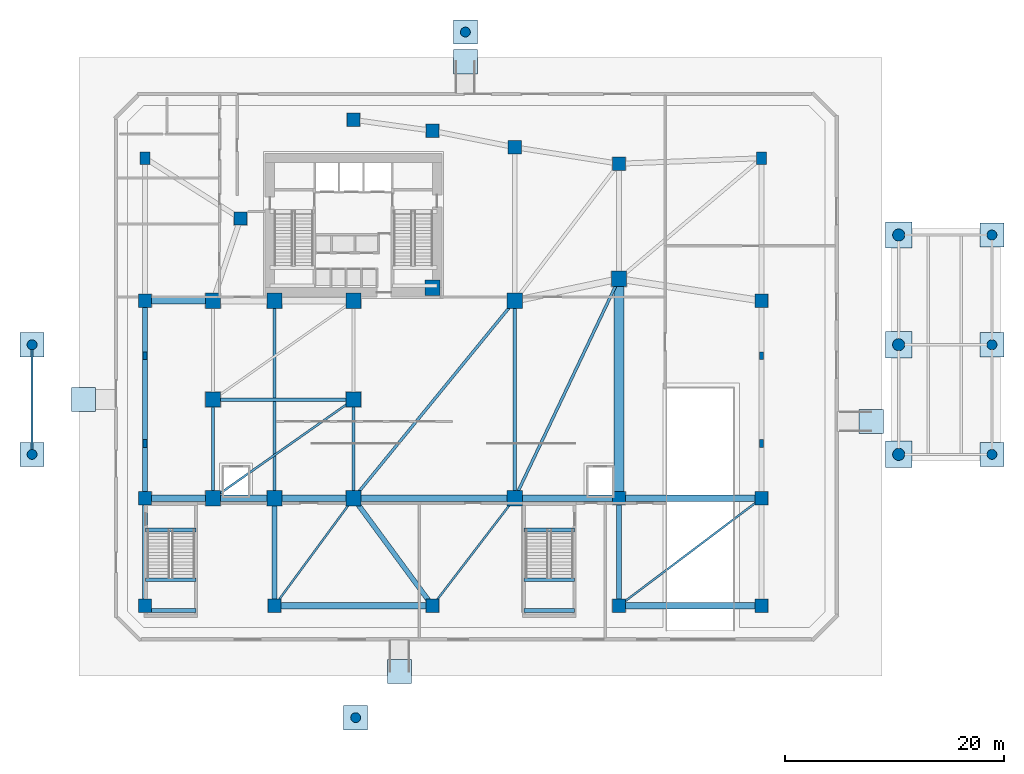
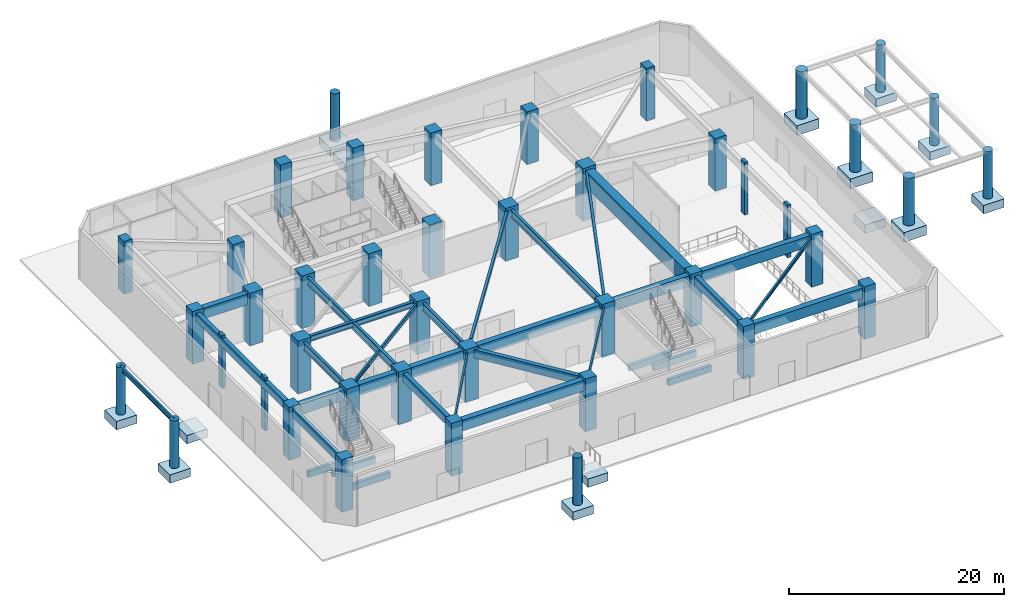
# One storey, part 1 of 13: 43 columns, 33 beams, 14 footings.
"""IFC4 building model written with IfcOpenShell, lengths in metres."""

from ifc_helpers import new_model, si_unit, direction, frame, origin, origin_2d, place, context, subcontext, project, spatial, rectangle, circle, i_section, extrude, source, transform, mapped, material, material_profile, profile_set, type_object, element, save


model = new_model("IFC4")

# Units and contexts
model_context = context("Model", 3, precision=1e-05, world=origin(), true_north=direction((0.0, 1.0)))
body_context = subcontext(model_context, "Body", "Model", "MODEL_VIEW")
ifc_project = project(units=[si_unit("LENGTHUNIT", "METRE"), si_unit("AREAUNIT", "SQUARE_METRE"), si_unit("VOLUMEUNIT", "CUBIC_METRE"), si_unit("PLANEANGLEUNIT", "RADIAN"), si_unit("MASSUNIT", "GRAM", prefix="KILO")], contexts=[model_context])

# Site, building, storey
site_placement = place(None, origin())
site = spatial("IfcSite", under=ifc_project, at=site_placement, CompositionType="ELEMENT")
building_placement = place(site_placement, origin())
building = spatial("IfcBuilding", under=site, at=building_placement, Name="Calvemar Wedge Station Tower", CompositionType="ELEMENT")
storey_placement = place(building_placement, origin())
storey = spatial("IfcBuildingStorey", under=building, at=storey_placement, Name="L01", CompositionType="ELEMENT", Elevation=0.0)

# Footings
ifc_material_1 = material(Name="Concrete C45", Category="concrete")
footing_type_1 = type_object("IfcFootingType", Name="FT-PAD-1", PredefinedType="PAD_FOOTING", material=ifc_material_1)
shared_shape_1 = source(origin(), body_context, "Body", "SweptSolid", [
    extrude(rectangle(XDim=2.39990234375, YDim=2.39990234375, at=origin_2d()), origin(), (0.0, 0.0, 1.0), 1.10009765625),
])
for number, where, z_axis, x_axis, name in (
    (1, (73.5, 19.0, -1.10009765625), (0.0, 0.0, 1.0), (1.0, 0.0, 0.0), "Grade Pad Footing PAD-P1"),
    (2, (73.5, 29.0, -1.10009765625), (0.0, 0.0, 1.0), (1.0, 0.0, 0.0), "Grade Pad Footing PAD-P2"),
    (3, (73.5, 39.0, -1.10009765625), (0.0, 0.0, 1.0), (1.0, 0.0, 0.0), "Grade Pad Footing PAD-P3"),
):
    element("IfcFooting", number, at=place(storey_placement, frame(where, z_axis=z_axis, x_axis=x_axis)), inside=storey, type_object=footing_type_1, Name=name, PredefinedType="PAD_FOOTING", context=body_context, shape_type="MappedRepresentation", body=[
        mapped(shared_shape_1, transform((0.0, 0.0, 0.0), scale=1.0)),
    ])
footing_type_2 = type_object("IfcFootingType", Name="FT-PAD-2", PredefinedType="PAD_FOOTING", material=ifc_material_1)
shared_shape_2 = source(origin(), body_context, "Body", "SweptSolid", [
    extrude(rectangle(XDim=2.199951171875, YDim=2.199951171875, at=origin_2d()), origin(), (0.0, 0.0, 1.0), 0.949951171875),
])
for number, where, z_axis, x_axis, name in (
    (4, (82.0, 19.0, -0.9501953125), (0.0, 0.0, 1.0), (1.0, 0.0, 0.0), "Grade Pad Footing PAD-P4"),
    (5, (82.0, 29.0, -0.9501953125), (0.0, 0.0, 1.0), (1.0, 0.0, 0.0), "Grade Pad Footing PAD-P5"),
    (6, (82.0, 39.0, -0.9501953125), (0.0, 0.0, 1.0), (1.0, 0.0, 0.0), "Grade Pad Footing PAD-P6"),
    (7, (-5.5, 19.0, -0.9501953125), (0.0, 0.0, 1.0), (1.0, 0.0, 0.0), "Grade Pad Footing PAD-W1"),
    (8, (-5.5, 29.0, -0.9501953125), (0.0, 0.0, 1.0), (1.0, 0.0, 0.0), "Grade Pad Footing PAD-W2"),
    (9, (24.0, -5.0, -0.9501953125), (0.0, 0.0, 1.0), (1.0, 0.0, 0.0), "Grade Pad Footing PAD-S1"),
    (10, (34.0, 57.5, -0.9501953125), (0.0, 0.0, 1.0), (1.0, 0.0, 0.0), "Grade Pad Footing PAD-N1"),
    (11, (71.0, 22.0, -1.14990234375), (0.0, 0.0, 1.0), (1.0, 0.0, 0.0), "Grade Pad Footing PAD-AR1"),
    (12, (28.0, -0.800048828125, -1.14990234375), (0.0, 0.0, 1.0), (1.0, 0.0, 0.0), "Grade Pad Footing PAD-AR2"),
    (13, (34.0, 54.800048828125, -1.14990234375), (0.0, 0.0, 1.0), (1.0, 0.0, 0.0), "Grade Pad Footing PAD-AR3"),
    (14, (-0.800048828125, 24.0, -1.14990234375), (0.0, 0.0, 1.0), (1.0, 0.0, 0.0), "Grade Pad Footing PAD-AR4"),
):
    element("IfcFooting", number, at=place(storey_placement, frame(where, z_axis=z_axis, x_axis=x_axis)), inside=storey, type_object=footing_type_2, Name=name, PredefinedType="PAD_FOOTING", context=body_context, shape_type="MappedRepresentation", body=[
        mapped(shared_shape_2, transform((0.0, 0.0, 0.0), scale=1.0)),
    ])

# Columns
ifc_material_2 = material(Name="Concrete C70", Category="concrete")
ifc_material_profile_1 = material_profile(ifc_material_2, rectangle(XDim=1.199951171875, YDim=1.199951171875, at=origin_2d()), Name="RC1200x1200")
ifc_profile_set_1 = profile_set([ifc_material_profile_1], Name="Concrete C70")
column_type_1 = type_object("IfcColumnType", Name="COL-C2-1200", PredefinedType="COLUMN", material=ifc_profile_set_1)
shared_shape_3 = source(origin(), body_context, "Body", "SweptSolid", [
    extrude(rectangle(XDim=1.199951171875, YDim=1.199951171875, at=origin_2d()), origin(), (0.0, 0.0, 1.0), 6.0),
])
for number, where, z_axis, x_axis, name in (
    (15, (4.800048828125, 5.199951171875, 0.0), (0.0, 0.0, 1.0), (1.0, 0.0, 0.0), "Storey L01 Column P-S1"),
    (16, (16.60009765625, 5.199951171875, 0.0), (0.0, 0.0, 1.0), (1.0, 0.0, 0.0), "Storey L01 Column P-S2"),
    (17, (31.0, 5.199951171875, 0.0), (0.0, 0.0, 1.0), (1.0, 0.0, 0.0), "Storey L01 Column P-S3"),
    (18, (48.0, 5.199951171875, 0.0), (0.0, 0.0, 1.0), (1.0, 0.0, 0.0), "Storey L01 Column P-S4"),
    (19, (61.0, 5.199951171875, 0.0), (0.0, 0.0, 1.0), (1.0, 0.0, 0.0), "Storey L01 Column P-S5"),
    (20, (4.800048828125, 15.0, 0.0), (0.0, 0.0, 1.0), (1.0, 0.0, 0.0), "Storey L01 Column P-CS0"),
    (21, (48.0, 15.0, 0.0), (0.0, 0.0, 1.0), (1.0, 0.0, 0.0), "Storey L01 Column P-CS5"),
    (22, (61.0, 15.0, 0.0), (0.0, 0.0, 1.0), (1.0, 0.0, 0.0), "Storey L01 Column P-CS6"),
    (23, (4.800048828125, 33.0, 0.0), (0.0, 0.0, 1.0), (1.0, 0.0, 0.0), "Storey L01 Column P-CN0"),
    (24, (61.0, 33.0, 0.0), (0.0, 0.0, 1.0), (1.0, 0.0, 0.0), "Storey L01 Column P-CN7"),
    (25, (13.5, 40.5, 0.0), (0.0, 0.0, 1.0), (1.0, 0.0, 0.0), "Storey L01 Column P-N1"),
    (26, (23.800048828125, 49.5, 0.0), (0.0, 0.0, 1.0), (1.0, 0.0, 0.0), "Storey L01 Column P-N2"),
    (27, (31.0, 48.5, 0.0), (0.0, 0.0, 1.0), (1.0, 0.0, 0.0), "Storey L01 Column P-N3"),
    (28, (38.5, 47.0, 0.0), (0.0, 0.0, 1.0), (1.0, 0.0, 0.0), "Storey L01 Column P-N4"),
    (29, (48.0, 45.5, 0.0), (0.0, 0.0, 1.0), (1.0, 0.0, 0.0), "Storey L01 Column P-N5"),
):
    element("IfcColumn", number, at=place(storey_placement, frame(where, z_axis=z_axis, x_axis=x_axis)), inside=storey, type_object=column_type_1, Name=name, PredefinedType="COLUMN", context=body_context, shape_type="MappedRepresentation", body=[
        mapped(shared_shape_3, transform((0.0, 0.0, 0.0), scale=1.0)),
    ])
ifc_material_3 = material(Name="Concrete C80", Category="concrete")
ifc_material_profile_2 = material_profile(ifc_material_3, rectangle(XDim=1.39990234375, YDim=1.39990234375, at=origin_2d()), Name="RC1400x1400")
ifc_profile_set_2 = profile_set([ifc_material_profile_2], Name="Concrete C80")
column_type_2 = type_object("IfcColumnType", Name="COL-C1-1400", PredefinedType="COLUMN", material=ifc_profile_set_2)
shared_shape_4 = source(origin(), body_context, "Body", "SweptSolid", [
    extrude(rectangle(XDim=1.39990234375, YDim=1.39990234375, at=origin_2d()), origin(), (0.0, 0.0, 1.0), 6.0),
])
for number, where, z_axis, x_axis, name in (
    (30, (11.0, 15.0, 0.0), (0.0, 0.0, 1.0), (1.0, 0.0, 0.0), "Storey L01 Column P-CS1"),
    (31, (16.60009765625, 15.0, 0.0), (0.0, 0.0, 1.0), (1.0, 0.0, 0.0), "Storey L01 Column P-CS2"),
    (32, (23.800048828125, 15.0, 0.0), (0.0, 0.0, 1.0), (1.0, 0.0, 0.0), "Storey L01 Column P-CS3"),
    (33, (38.5, 15.0, 0.0), (0.0, 0.0, 1.0), (1.0, 0.0, 0.0), "Storey L01 Column P-CS4"),
    (34, (11.0, 24.0, 0.0), (0.0, 0.0, 1.0), (1.0, 0.0, 0.0), "Storey L01 Column P-CM1"),
    (35, (23.800048828125, 24.0, 0.0), (0.0, 0.0, 1.0), (1.0, 0.0, 0.0), "Storey L01 Column P-CM2"),
    (36, (11.0, 33.0, 0.0), (0.0, 0.0, 1.0), (1.0, 0.0, 0.0), "Storey L01 Column P-CN1"),
    (37, (16.60009765625, 33.0, 0.0), (0.0, 0.0, 1.0), (1.0, 0.0, 0.0), "Storey L01 Column P-CN2"),
    (38, (23.800048828125, 33.0, 0.0), (0.0, 0.0, 1.0), (1.0, 0.0, 0.0), "Storey L01 Column P-CN3"),
    (39, (31.0, 34.199951171875, 0.0), (0.0, 0.0, 1.0), (1.0, 0.0, 0.0), "Storey L01 Column P-CN4"),
    (40, (38.5, 33.0, 0.0), (0.0, 0.0, 1.0), (1.0, 0.0, 0.0), "Storey L01 Column P-CN5"),
    (41, (48.0, 35.0, 0.0), (0.0, 0.0, 1.0), (1.0, 0.0, 0.0), "Storey L01 Column P-CN6"),
):
    element("IfcColumn", number, at=place(storey_placement, frame(where, z_axis=z_axis, x_axis=x_axis)), inside=storey, type_object=column_type_2, Name=name, PredefinedType="COLUMN", context=body_context, shape_type="MappedRepresentation", body=[
        mapped(shared_shape_4, transform((0.0, 0.0, 0.0), scale=1.0)),
    ])
ifc_material_profile_3 = material_profile(ifc_material_2, rectangle(XDim=0.89990234375, YDim=1.10009765625, at=origin_2d()), Name="RC1100x900")
ifc_profile_set_3 = profile_set([ifc_material_profile_3], Name="Concrete C70")
column_type_3 = type_object("IfcColumnType", Name="COL-C3-1100x900", PredefinedType="COLUMN", material=ifc_profile_set_3)
shared_shape_5 = source(origin(), body_context, "Body", "SweptSolid", [
    extrude(rectangle(XDim=0.89990234375, YDim=1.10009765625, at=origin_2d()), origin(), (0.0, 0.0, 1.0), 6.0),
])
for number, where, z_axis, x_axis, name in (
    (42, (4.800048828125, 46.0, 0.0), (0.0, 0.0, 1.0), (1.0, 0.0, 0.0), "Storey L01 Column P-N0"),
    (43, (61.0, 46.0, 0.0), (0.0, 0.0, 1.0), (1.0, 0.0, 0.0), "Storey L01 Column P-N6"),
):
    element("IfcColumn", number, at=place(storey_placement, frame(where, z_axis=z_axis, x_axis=x_axis)), inside=storey, type_object=column_type_3, Name=name, PredefinedType="COLUMN", context=body_context, shape_type="MappedRepresentation", body=[
        mapped(shared_shape_5, transform((0.0, 0.0, 0.0), scale=1.0)),
    ])
ifc_material_profile_4 = material_profile(ifc_material_2, circle(Radius=0.550048828125, at=origin_2d()), Name="RC-D1100")
ifc_profile_set_4 = profile_set([ifc_material_profile_4], Name="Concrete C70")
column_type_4 = type_object("IfcColumnType", Name="COL-C9-D1100", PredefinedType="COLUMN", material=ifc_profile_set_4)
shared_shape_6 = source(origin(), body_context, "Body", "SweptSolid", [
    extrude(circle(Radius=0.550048828125, at=origin_2d()), origin(), (0.0, 0.0, 1.0), 5.39990234375),
])
for number, where, z_axis, x_axis, name in (
    (44, (73.5, 19.0, 0.0), (0.0, 0.0, 1.0), (1.0, 0.0, 0.0), "Storey L01 Column P-CAN1"),
    (45, (73.5, 29.0, 0.0), (0.0, 0.0, 1.0), (1.0, 0.0, 0.0), "Storey L01 Column P-CAN2"),
    (46, (73.5, 39.0, 0.0), (0.0, 0.0, 1.0), (1.0, 0.0, 0.0), "Storey L01 Column P-CAN3"),
):
    element("IfcColumn", number, at=place(storey_placement, frame(where, z_axis=z_axis, x_axis=x_axis)), inside=storey, type_object=column_type_4, Name=name, PredefinedType="COLUMN", context=body_context, shape_type="MappedRepresentation", body=[
        mapped(shared_shape_6, transform((0.0, 0.0, 0.0), scale=1.0)),
    ])
ifc_material_4 = material(Name="Concrete C60", Category="concrete")
ifc_material_profile_5 = material_profile(ifc_material_4, circle(Radius=0.449951171875, at=origin_2d()), Name="RC-D900")
ifc_profile_set_5 = profile_set([ifc_material_profile_5], Name="Concrete C60")
column_type_5 = type_object("IfcColumnType", Name="COL-C10-D900", PredefinedType="COLUMN", material=ifc_profile_set_5)
shared_shape_7 = source(origin(), body_context, "Body", "SweptSolid", [
    extrude(circle(Radius=0.449951171875, at=origin_2d()), origin(), (0.0, 0.0, 1.0), 5.39990234375),
])
for number, where, z_axis, x_axis, name in (
    (47, (82.0, 19.0, 0.0), (0.0, 0.0, 1.0), (1.0, 0.0, 0.0), "Storey L01 Column P-CAN4"),
    (48, (82.0, 29.0, 0.0), (0.0, 0.0, 1.0), (1.0, 0.0, 0.0), "Storey L01 Column P-CAN5"),
    (49, (82.0, 39.0, 0.0), (0.0, 0.0, 1.0), (1.0, 0.0, 0.0), "Storey L01 Column P-CAN6"),
    (50, (-5.5, 19.0, 0.0), (0.0, 0.0, 1.0), (1.0, 0.0, 0.0), "Storey L01 Column P-WCAN1"),
    (51, (-5.5, 29.0, 0.0), (0.0, 0.0, 1.0), (1.0, 0.0, 0.0), "Storey L01 Column P-WCAN2"),
    (52, (24.0, -5.0, 0.0), (0.0, 0.0, 1.0), (1.0, 0.0, 0.0), "Storey L01 Column P-SCAN1"),
    (53, (34.0, 57.5, 0.0), (0.0, 0.0, 1.0), (1.0, 0.0, 0.0), "Storey L01 Column P-NCAN1"),
):
    element("IfcColumn", number, at=place(storey_placement, frame(where, z_axis=z_axis, x_axis=x_axis)), inside=storey, type_object=column_type_5, Name=name, PredefinedType="COLUMN", context=body_context, shape_type="MappedRepresentation", body=[
        mapped(shared_shape_7, transform((0.0, 0.0, 0.0), scale=1.0)),
    ])
ifc_material_profile_6 = material_profile(ifc_material_4, rectangle(XDim=0.35009765625, YDim=0.699951171875, at=origin_2d()), Name="RC350x700")
ifc_profile_set_6 = profile_set([ifc_material_profile_6], Name="Concrete C60")
column_type_6 = type_object("IfcColumnType", Name="PIL-P1-700", PredefinedType="PILASTER", material=ifc_profile_set_6)
shared_shape_8 = source(origin(), body_context, "Body", "SweptSolid", [
    extrude(rectangle(XDim=0.35009765625, YDim=0.699951171875, at=origin_2d()), origin(), (0.0, 0.0, 1.0), 6.0),
])
for number, where, z_axis, x_axis, name in (
    (54, (4.800048828125, 20.0, 0.0), (0.0, 0.0, 1.0), (1.0, 0.0, 0.0), "Storey L01 Concourse Pilaster 1"),
    (55, (4.800048828125, 28.0, 0.0), (0.0, 0.0, 1.0), (1.0, 0.0, 0.0), "Storey L01 Concourse Pilaster 2"),
    (56, (61.0, 20.0, 0.0), (0.0, 0.0, 1.0), (1.0, 0.0, 0.0), "Storey L01 Concourse Pilaster 3"),
    (57, (61.0, 28.0, 0.0), (0.0, 0.0, 1.0), (1.0, 0.0, 0.0), "Storey L01 Concourse Pilaster 4"),
):
    element("IfcColumn", number, at=place(storey_placement, frame(where, z_axis=z_axis, x_axis=x_axis)), inside=storey, type_object=column_type_6, Name=name, PredefinedType="PILASTER", context=body_context, shape_type="MappedRepresentation", body=[
        mapped(shared_shape_8, transform((0.0, 0.0, 0.0), scale=1.0)),
    ])

# Beams
ifc_material_profile_7 = material_profile(ifc_material_2, rectangle(XDim=0.35009765625, YDim=0.699951171875, at=origin_2d()), Name="RC350x700")
ifc_profile_set_7 = profile_set([ifc_material_profile_7], Name="Concrete C70")
beam_type_1 = type_object("IfcBeamType", Name="BM-LN1-700", PredefinedType="LINTEL", material=ifc_profile_set_7)
shared_shape_9 = source(origin(), body_context, "Body", "SweptSolid", [
    extrude(rectangle(XDim=0.35009765625, YDim=0.699951171875, at=origin_2d()), origin(), (0.0, 0.0, 1.0), 4.599853515625),
])
for number, where, z_axis, x_axis, name in (
    (58, (4.85009765625, 12.10009765625, -0.35009765625), (1.0, 0.0, 0.0), (0.0, 1.0, 0.0), "Storey L01 Stair ST-P1 Landing Trimmer Beam"),
    (59, (39.35009765625, 12.10009765625, -0.35009765625), (1.0, 0.0, 0.0), (0.0, 1.0, 0.0), "Storey L01 Stair ST-P2 Landing Trimmer Beam"),
    (60, (4.85009765625, 4.780029296875, 2.449951171875), (1.0, 0.0, 0.0), (0.0, 1.0, 0.0), "Storey L01 Stair ST-P1 Half-Landing Beam 1A"),
    (61, (4.85009765625, 7.570068359375, 2.449951171875), (1.0, 0.0, 0.0), (0.0, 1.0, 0.0), "Storey L01 Stair ST-P1 Half-Landing Beam 1B"),
    (62, (39.35009765625, 4.780029296875, 2.449951171875), (1.0, 0.0, 0.0), (0.0, 1.0, 0.0), "Storey L01 Stair ST-P2 Half-Landing Beam 1A"),
    (63, (39.35009765625, 7.570068359375, 2.449951171875), (1.0, 0.0, 0.0), (0.0, 1.0, 0.0), "Storey L01 Stair ST-P2 Half-Landing Beam 1B"),
):
    element("IfcBeam", number, at=place(storey_placement, frame(where, z_axis=z_axis, x_axis=x_axis)), inside=storey, type_object=beam_type_1, Name=name, PredefinedType="LINTEL", context=body_context, shape_type="MappedRepresentation", body=[
        mapped(shared_shape_9, transform((0.0, 0.0, 0.0), scale=1.0)),
    ])
ifc_material_profile_8 = material_profile(ifc_material_4, rectangle(XDim=0.60009765625, YDim=1.199951171875, at=origin_2d()), Name="RC600x1200")
ifc_profile_set_8 = profile_set([ifc_material_profile_8], Name="Concrete C60")
beam_type_2 = type_object("IfcBeamType", Name="BM-G1-1200", PredefinedType="BEAM", material=ifc_profile_set_8)
shared_shape_10 = source(origin(), body_context, "Body", "SweptSolid", [
    extrude(rectangle(XDim=0.60009765625, YDim=1.199951171875, at=origin_2d()), origin(), (0.0, 0.0, 1.0), 14.39990234375),
])
beam_1_placement = place(storey_placement, frame((16.60009765625, 5.199951171875, 5.10009765625), z_axis=(1.0, 0.0, 0.0), x_axis=(0.0, 1.0, 0.0)))
element("IfcBeam", 64, at=beam_1_placement, inside=storey, type_object=beam_type_2, Name="Storey L01 Primary Girder G02", PredefinedType="BEAM", context=body_context, shape_type="MappedRepresentation", body=[
    mapped(shared_shape_10, transform((0.0, 0.0, 0.0), scale=1.0)),
])
shared_shape_11 = source(origin(), body_context, "Body", "SweptSolid", [
    extrude(rectangle(XDim=0.60009765625, YDim=1.199951171875, at=origin_2d()), origin(), (0.0, 0.0, 1.0), 13.0),
])
for number, where, z_axis, x_axis, name in (
    (65, (48.0, 5.199951171875, 5.10009765625), (1.0, 0.0, 0.0), (0.0, 1.0, 0.0), "Storey L01 Primary Girder G04"),
    (66, (48.0, 15.0, 5.10009765625), (1.0, 0.0, 0.0), (0.0, 1.0, 0.0), "Storey L01 Primary Girder G10"),
):
    element("IfcBeam", number, at=place(storey_placement, frame(where, z_axis=z_axis, x_axis=x_axis)), inside=storey, type_object=beam_type_2, Name=name, PredefinedType="BEAM", context=body_context, shape_type="MappedRepresentation", body=[
        mapped(shared_shape_11, transform((0.0, 0.0, 0.0), scale=1.0)),
    ])
shared_shape_12 = source(origin(), body_context, "Body", "SweptSolid", [
    extrude(rectangle(XDim=0.60009765625, YDim=1.199951171875, at=origin_2d()), origin(), (0.0, 0.0, 1.0), 6.199951171875),
])
for number, where, z_axis, x_axis, name in (
    (67, (4.800048828125, 15.0, 5.10009765625), (1.0, 0.0, 0.0), (0.0, 1.0, 0.0), "Storey L01 Primary Girder G05"),
    (68, (4.800048828125, 33.0, 5.10009765625), (1.0, 0.0, 0.0), (0.0, 1.0, 0.0), "Storey L01 Primary Girder G11"),
):
    element("IfcBeam", number, at=place(storey_placement, frame(where, z_axis=z_axis, x_axis=x_axis)), inside=storey, type_object=beam_type_2, Name=name, PredefinedType="BEAM", context=body_context, shape_type="MappedRepresentation", body=[
        mapped(shared_shape_12, transform((0.0, 0.0, 0.0), scale=1.0)),
    ])
shared_shape_13 = source(origin(), body_context, "Body", "SweptSolid", [
    extrude(rectangle(XDim=0.60009765625, YDim=1.199951171875, at=origin_2d()), origin(), (0.0, 0.0, 1.0), 5.60009765625),
])
beam_2_placement = place(storey_placement, frame((11.0, 15.0, 5.10009765625), z_axis=(1.0, 0.0, 0.0), x_axis=(0.0, 1.0, 0.0)))
element("IfcBeam", 69, at=beam_2_placement, inside=storey, type_object=beam_type_2, Name="Storey L01 Primary Girder G06", PredefinedType="BEAM", context=body_context, shape_type="MappedRepresentation", body=[
    mapped(shared_shape_13, transform((0.0, 0.0, 0.0), scale=1.0)),
])
shared_shape_14 = source(origin(), body_context, "Body", "SweptSolid", [
    extrude(rectangle(XDim=0.60009765625, YDim=1.199951171875, at=origin_2d()), origin(), (0.0, 0.0, 1.0), 7.199951171875),
])
beam_3_placement = place(storey_placement, frame((16.60009765625, 15.0, 5.10009765625), z_axis=(1.0, 0.0, 0.0), x_axis=(0.0, 1.0, 0.0)))
element("IfcBeam", 70, at=beam_3_placement, inside=storey, type_object=beam_type_2, Name="Storey L01 Primary Girder G07", PredefinedType="BEAM", context=body_context, shape_type="MappedRepresentation", body=[
    mapped(shared_shape_14, transform((0.0, 0.0, 0.0), scale=1.0)),
])
shared_shape_15 = source(origin(), body_context, "Body", "SweptSolid", [
    extrude(rectangle(XDim=0.60009765625, YDim=1.199951171875, at=origin_2d()), origin(), (0.0, 0.0, 1.0), 14.699951171875),
])
beam_4_placement = place(storey_placement, frame((23.800048828125, 15.0, 5.10009765625), z_axis=(1.0, 0.0, 0.0), x_axis=(0.0, 1.0, 0.0)))
element("IfcBeam", 71, at=beam_4_placement, inside=storey, type_object=beam_type_2, Name="Storey L01 Primary Girder G08", PredefinedType="BEAM", context=body_context, shape_type="MappedRepresentation", body=[
    mapped(shared_shape_15, transform((0.0, 0.0, 0.0), scale=1.0)),
])
shared_shape_16 = source(origin(), body_context, "Body", "SweptSolid", [
    extrude(rectangle(XDim=0.60009765625, YDim=1.199951171875, at=origin_2d()), origin(), (0.0, 0.0, 1.0), 9.5),
])
beam_5_placement = place(storey_placement, frame((38.5, 15.0, 5.10009765625), z_axis=(1.0, 0.0, 0.0), x_axis=(0.0, 1.0, 0.0)))
element("IfcBeam", 72, at=beam_5_placement, inside=storey, type_object=beam_type_2, Name="Storey L01 Primary Girder G09", PredefinedType="BEAM", context=body_context, shape_type="MappedRepresentation", body=[
    mapped(shared_shape_16, transform((0.0, 0.0, 0.0), scale=1.0)),
])
ifc_material_5 = material(Name="Concrete C50", Category="concrete")
ifc_material_profile_9 = material_profile(ifc_material_5, rectangle(XDim=0.449951171875, YDim=0.949951171875, at=origin_2d()), Name="RC450x950")
ifc_profile_set_9 = profile_set([ifc_material_profile_9], Name="Concrete C50")
beam_type_3 = type_object("IfcBeamType", Name="BM-G2-950", PredefinedType="BEAM", material=ifc_profile_set_9)
shared_shape_17 = source(origin(), body_context, "Body", "SweptSolid", [
    extrude(rectangle(XDim=0.449951171875, YDim=0.949951171875, at=origin_2d()), origin(), (0.0, 0.0, 1.0), 18.0),
])
beam_6_placement = place(storey_placement, frame((4.800048828125, 15.0, 5.22509765625), z_axis=(0.0, 1.0, 0.0), x_axis=(-1.0, 0.0, 0.0)))
element("IfcBeam", 73, at=beam_6_placement, inside=storey, type_object=beam_type_3, Name="Storey L01 Primary Girder G18", PredefinedType="BEAM", context=body_context, shape_type="MappedRepresentation", body=[
    mapped(shared_shape_17, transform((0.0, 0.0, 0.0), scale=1.0)),
])
ifc_material_6 = material(Name="Structural steel ASTM A572 Grade 50", Category="steel")
ifc_material_profile_10 = material_profile(ifc_material_6, i_section(OverallWidth=0.303955078125, OverallDepth=0.862060546875, WebThickness=0.019775390625, FlangeThickness=0.035888671875, FilletRadius=0.02001953125, at=origin_2d()), Name="W840x329")
ifc_profile_set_10 = profile_set([ifc_material_profile_10], Name="Structural steel ASTM A572 Grade 50")
beam_type_4 = type_object("IfcBeamType", Name="BM-TR2-W840", PredefinedType="BEAM", material=ifc_profile_set_10)
shared_shape_18 = source(origin(), body_context, "Body", "SweptSolid", [
    extrude(i_section(OverallWidth=0.303955078125, OverallDepth=0.862060546875, WebThickness=0.019775390625, FlangeThickness=0.035888671875, FilletRadius=0.02001953125, at=origin_2d()), origin(), (0.0, 0.0, 1.0), 9.0),
])
for number, where, z_axis, x_axis, name in (
    (74, (11.0, 15.0, 5.26904296875), (0.0, 1.0, 0.0), (-1.0, 0.0, 0.0), "Storey L01 Primary Girder G19"),
    (75, (23.800048828125, 15.0, 5.26904296875), (0.0, 1.0, 0.0), (-1.0, 0.0, 0.0), "Storey L01 Primary Girder G22"),
):
    element("IfcBeam", number, at=place(storey_placement, frame(where, z_axis=z_axis, x_axis=x_axis)), inside=storey, type_object=beam_type_4, Name=name, PredefinedType="BEAM", context=body_context, shape_type="MappedRepresentation", body=[
        mapped(shared_shape_18, transform((0.0, 0.0, 0.0), scale=1.0)),
    ])
shared_shape_19 = source(origin(), body_context, "Body", "SweptSolid", [
    extrude(i_section(OverallWidth=0.303955078125, OverallDepth=0.862060546875, WebThickness=0.019775390625, FlangeThickness=0.035888671875, FilletRadius=0.02001953125, at=origin_2d()), origin(), (0.0, 0.0, 1.0), 18.0),
])
for number, where, z_axis, x_axis, name in (
    (76, (16.60009765625, 15.0, 5.26904296875), (0.0, 1.0, 0.0), (-1.0, 0.0, 0.0), "Storey L01 Primary Girder G21"),
    (77, (38.5, 15.0, 5.26904296875), (0.0, 1.0, 0.0), (-1.0, 0.0, 0.0), "Storey L01 Primary Girder G24"),
):
    element("IfcBeam", number, at=place(storey_placement, frame(where, z_axis=z_axis, x_axis=x_axis)), inside=storey, type_object=beam_type_4, Name=name, PredefinedType="BEAM", context=body_context, shape_type="MappedRepresentation", body=[
        mapped(shared_shape_19, transform((0.0, 0.0, 0.0), scale=1.0)),
    ])
ifc_material_profile_11 = material_profile(ifc_material_4, rectangle(XDim=0.89990234375, YDim=1.800048828125, at=origin_2d()), Name="RC900x1800")
ifc_profile_set_11 = profile_set([ifc_material_profile_11], Name="Concrete C60")
beam_type_5 = type_object("IfcBeamType", Name="BM-TG2-1800", PredefinedType="BEAM", material=ifc_profile_set_11)
shared_shape_20 = source(origin(), body_context, "Body", "SweptSolid", [
    extrude(rectangle(XDim=0.89990234375, YDim=1.800048828125, at=origin_2d()), origin(), (0.0, 0.0, 1.0), 20.0),
])
beam_7_placement = place(storey_placement, frame((48.0, 15.0, 4.800048828125), z_axis=(0.0, 1.0, 0.0), x_axis=(-1.0, 0.0, 0.0)))
element("IfcBeam", 78, at=beam_7_placement, inside=storey, type_object=beam_type_5, Name="Storey L01 Primary Girder G25", PredefinedType="BEAM", context=body_context, shape_type="MappedRepresentation", body=[
    mapped(shared_shape_20, transform((0.0, 0.0, 0.0), scale=1.0)),
])
ifc_material_profile_12 = material_profile(ifc_material_6, i_section(OverallWidth=0.3291015625, OverallDepth=0.635009765625, WebThickness=0.017822265625, FlangeThickness=0.031005859375, FilletRadius=0.014892578125, at=origin_2d()), Name="W610x241")
ifc_profile_set_12 = profile_set([ifc_material_profile_12], Name="Structural steel ASTM A572 Grade 50")
beam_type_6 = type_object("IfcBeamType", Name="BM-SB1-W610H", PredefinedType="BEAM", material=ifc_profile_set_12)
shared_shape_21 = source(origin(), body_context, "Body", "SweptSolid", [
    extrude(i_section(OverallWidth=0.3291015625, OverallDepth=0.635009765625, WebThickness=0.017822265625, FlangeThickness=0.031005859375, FilletRadius=0.014892578125, at=origin_2d()), origin(), (0.0, 0.0, 1.0), 12.800048828125),
])
beam_8_placement = place(storey_placement, frame((11.0, 24.0, 5.382568359375), z_axis=(1.0, 0.0, 0.0), x_axis=(0.0, 1.0, 0.0)))
element("IfcBeam", 79, at=beam_8_placement, inside=storey, type_object=beam_type_6, Name="Storey L01 Primary Girder G27", PredefinedType="BEAM", context=body_context, shape_type="MappedRepresentation", body=[
    mapped(shared_shape_21, transform((0.0, 0.0, 0.0), scale=1.0)),
])
shared_shape_22 = source(origin(), body_context, "Body", "SweptSolid", [
    extrude(rectangle(XDim=0.449951171875, YDim=0.949951171875, at=origin_2d()), origin(), (0.0, 0.0, 1.0), 9.800048828125),
])
for number, where, z_axis, x_axis, name in (
    (80, (4.800048828125, 5.199951171875, 5.22509765625), (0.0, 1.0, 0.0), (-1.0, 0.0, 0.0), "Storey L01 Primary Girder G28"),
    (81, (16.60009765625, 5.199951171875, 5.22509765625), (0.0, 1.0, 0.0), (-1.0, 0.0, 0.0), "Storey L01 Primary Girder G29"),
    (82, (48.0, 5.199951171875, 5.22509765625), (0.0, 1.0, 0.0), (-1.0, 0.0, 0.0), "Storey L01 Primary Girder G31"),
):
    element("IfcBeam", number, at=place(storey_placement, frame(where, z_axis=z_axis, x_axis=x_axis)), inside=storey, type_object=beam_type_3, Name=name, PredefinedType="BEAM", context=body_context, shape_type="MappedRepresentation", body=[
        mapped(shared_shape_22, transform((0.0, 0.0, 0.0), scale=1.0)),
    ])
shared_shape_23 = source(origin(), body_context, "Body", "SweptSolid", [
    extrude(rectangle(XDim=0.449951171875, YDim=0.949951171875, at=origin_2d()), origin(), (0.0, 0.0, 1.0), 12.16064453125),
])
beam_9_placement = place(storey_placement, frame((31.0, 5.199951171875, 5.22509765625), z_axis=(-0.59207191039, 0.805885136311, 0.0), x_axis=(-0.805885136311, -0.59207191039, 0.0)))
element("IfcBeam", 83, at=beam_9_placement, inside=storey, type_object=beam_type_3, Name="Storey L01 Primary Girder G30", PredefinedType="BEAM", context=body_context, shape_type="MappedRepresentation", body=[
    mapped(shared_shape_23, transform((0.0, 0.0, 0.0), scale=1.0)),
])
ifc_material_profile_13 = material_profile(ifc_material_6, i_section(OverallWidth=0.19189453125, OverallDepth=0.462890625, WebThickness=0.010498046875, FlangeThickness=0.017578125, FilletRadius=0.012939453125, at=origin_2d()), Name="W460x89")
ifc_profile_set_13 = profile_set([ifc_material_profile_13], Name="Structural steel ASTM A572 Grade 50")
beam_type_7 = type_object("IfcBeamType", Name="BM-J1-W460", PredefinedType="JOIST", material=ifc_profile_set_13)
shared_shape_24 = source(origin(), body_context, "Body", "SweptSolid", [
    extrude(i_section(OverallWidth=0.19189453125, OverallDepth=0.462890625, WebThickness=0.010498046875, FlangeThickness=0.017578125, FilletRadius=0.012939453125, at=origin_2d()), origin(), (0.0, 0.0, 1.0), 15.6474609375),
])
beam_10_placement = place(storey_placement, frame((11.0, 15.0, 5.468505859375), z_axis=(0.818030190743, 0.575175283747, 0.0), x_axis=(-0.575175283747, 0.818030190743, 0.0)))
element("IfcBeam", 84, at=beam_10_placement, inside=storey, type_object=beam_type_7, Name="Storey L01 Concourse Cross Joist 1", PredefinedType="JOIST", context=body_context, shape_type="MappedRepresentation", body=[
    mapped(shared_shape_24, transform((0.0, 0.0, 0.0), scale=1.0)),
])
ifc_material_profile_14 = material_profile(ifc_material_6, i_section(OverallWidth=0.260986328125, OverallDepth=0.419921875, WebThickness=0.01171875, FlangeThickness=0.019287109375, FilletRadius=0.012939453125, at=origin_2d()), Name="W410x114")
ifc_profile_set_14 = profile_set([ifc_material_profile_14], Name="Structural steel ASTM A572 Grade 50")
beam_type_8 = type_object("IfcBeamType", Name="BM-J2-W410H", PredefinedType="JOIST", material=ifc_profile_set_14)
shared_shape_25 = source(origin(), body_context, "Body", "SweptSolid", [
    extrude(i_section(OverallWidth=0.260986328125, OverallDepth=0.419921875, WebThickness=0.01171875, FlangeThickness=0.019287109375, FilletRadius=0.012939453125, at=origin_2d()), origin(), (0.0, 0.0, 1.0), 23.23974609375),
])
beam_11_placement = place(storey_placement, frame((23.800048828125, 15.0, 5.489990234375), z_axis=(0.632533310438, 0.774533156931, 0.0), x_axis=(-0.774533156931, 0.632533310438, 0.0)))
element("IfcBeam", 85, at=beam_11_placement, inside=storey, type_object=beam_type_8, Name="Storey L01 Concourse Cross Joist 3", PredefinedType="JOIST", context=body_context, shape_type="MappedRepresentation", body=[
    mapped(shared_shape_25, transform((0.0, 0.0, 0.0), scale=1.0)),
])
shared_shape_26 = source(origin(), body_context, "Body", "SweptSolid", [
    extrude(i_section(OverallWidth=0.260986328125, OverallDepth=0.419921875, WebThickness=0.01171875, FlangeThickness=0.019287109375, FilletRadius=0.012939453125, at=origin_2d()), origin(), (0.0, 0.0, 1.0), 22.1416015625),
])
beam_12_placement = place(storey_placement, frame((38.5, 15.0, 5.489990234375), z_axis=(0.429056814568, 0.903277504354, 0.0), x_axis=(-0.903277504354, 0.429056814568, 0.0)))
element("IfcBeam", 86, at=beam_12_placement, inside=storey, type_object=beam_type_8, Name="Storey L01 Concourse Cross Joist 4", PredefinedType="JOIST", context=body_context, shape_type="MappedRepresentation", body=[
    mapped(shared_shape_26, transform((0.0, 0.0, 0.0), scale=1.0)),
])
ifc_material_profile_15 = material_profile(ifc_material_6, i_section(OverallWidth=0.177978515625, OverallDepth=0.406982421875, WebThickness=0.0078125, FlangeThickness=0.0126953125, FilletRadius=0.010009765625, at=origin_2d()), Name="W410x60")
ifc_profile_set_15 = profile_set([ifc_material_profile_15], Name="Structural steel ASTM A572 Grade 50")
beam_type_9 = type_object("IfcBeamType", Name="BM-J3-W410", PredefinedType="JOIST", material=ifc_profile_set_15)
shared_shape_27 = source(origin(), body_context, "Body", "SweptSolid", [
    extrude(i_section(OverallWidth=0.177978515625, OverallDepth=0.406982421875, WebThickness=0.0078125, FlangeThickness=0.0126953125, FilletRadius=0.010009765625, at=origin_2d()), origin(), (0.0, 0.0, 1.0), 12.16064453125),
])
beam_13_placement = place(storey_placement, frame((16.60009765625, 5.199951171875, 5.49658203125), z_axis=(0.59207191039, 0.805885136311, 0.0), x_axis=(-0.805885136311, 0.59207191039, 0.0)))
element("IfcBeam", 87, at=beam_13_placement, inside=storey, type_object=beam_type_9, Name="Storey L01 Concourse Cross Joist 6", PredefinedType="JOIST", context=body_context, shape_type="MappedRepresentation", body=[
    mapped(shared_shape_27, transform((0.0, 0.0, 0.0), scale=1.0)),
])
shared_shape_28 = source(origin(), body_context, "Body", "SweptSolid", [
    extrude(i_section(OverallWidth=0.177978515625, OverallDepth=0.406982421875, WebThickness=0.0078125, FlangeThickness=0.0126953125, FilletRadius=0.010009765625, at=origin_2d()), origin(), (0.0, 0.0, 1.0), 12.340576171875),
])
beam_14_placement = place(storey_placement, frame((31.0, 5.199951171875, 5.49658203125), z_axis=(0.60774893356, 0.794129229884, 0.0), x_axis=(-0.794129229884, 0.60774893356, 0.0)))
element("IfcBeam", 88, at=beam_14_placement, inside=storey, type_object=beam_type_9, Name="Storey L01 Concourse Cross Joist 7", PredefinedType="JOIST", context=body_context, shape_type="MappedRepresentation", body=[
    mapped(shared_shape_28, transform((0.0, 0.0, 0.0), scale=1.0)),
])
shared_shape_29 = source(origin(), body_context, "Body", "SweptSolid", [
    extrude(i_section(OverallWidth=0.177978515625, OverallDepth=0.406982421875, WebThickness=0.0078125, FlangeThickness=0.0126953125, FilletRadius=0.010009765625, at=origin_2d()), origin(), (0.0, 0.0, 1.0), 16.280029296875),
])
beam_15_placement = place(storey_placement, frame((48.0, 5.199951171875, 5.49658203125), z_axis=(0.798521946551, 0.601965697425, 0.0), x_axis=(-0.601965697425, 0.798521946551, 0.0)))
element("IfcBeam", 89, at=beam_15_placement, inside=storey, type_object=beam_type_9, Name="Storey L01 Concourse Cross Joist 8", PredefinedType="JOIST", context=body_context, shape_type="MappedRepresentation", body=[
    mapped(shared_shape_29, transform((0.0, 0.0, 0.0), scale=1.0)),
])
ifc_material_profile_16 = material_profile(ifc_material_6, i_section(OverallWidth=0.2109375, OverallDepth=0.5390625, WebThickness=0.01171875, FlangeThickness=0.018798828125, FilletRadius=0.012939453125, at=origin_2d()), Name="W530x109")
ifc_profile_set_16 = profile_set([ifc_material_profile_16], Name="Structural steel ASTM A572 Grade 50")
beam_type_10 = type_object("IfcBeamType", Name="BM-SB4-W530", PredefinedType="BEAM", material=ifc_profile_set_16)
shared_shape_30 = source(origin(), body_context, "Body", "SweptSolid", [
    extrude(i_section(OverallWidth=0.2109375, OverallDepth=0.5390625, WebThickness=0.01171875, FlangeThickness=0.018798828125, FilletRadius=0.012939453125, at=origin_2d()), origin(), (0.0, 0.0, 1.0), 10.0),
])
beam_16_placement = place(storey_placement, frame((-5.5, 19.0, 5.130615234375), z_axis=(0.0, 1.0, 0.0), x_axis=(-1.0, 0.0, 0.0)))
element("IfcBeam", 90, at=beam_16_placement, inside=storey, type_object=beam_type_10, Name="Concourse Canopy Beam P-WCAN1-P-WCAN2", PredefinedType="BEAM", context=body_context, shape_type="MappedRepresentation", body=[
    mapped(shared_shape_30, transform((0.0, 0.0, 0.0), scale=1.0)),
])

save(model, "model.ifc")
